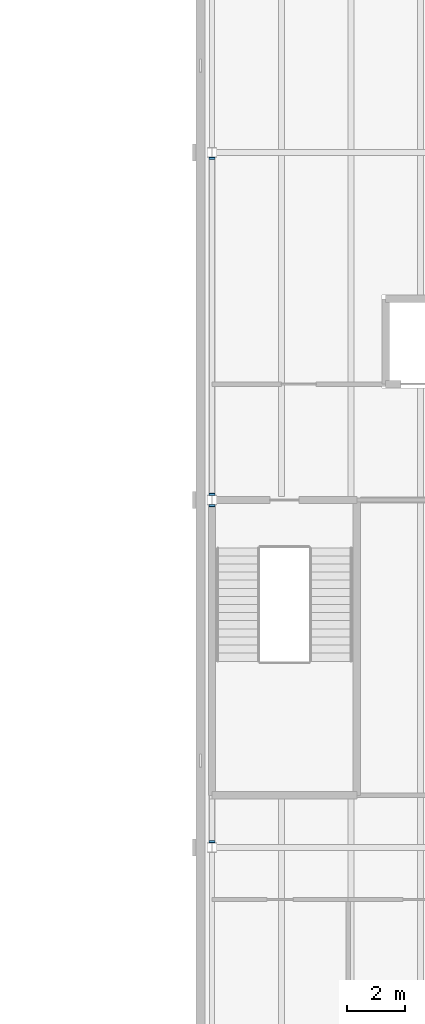
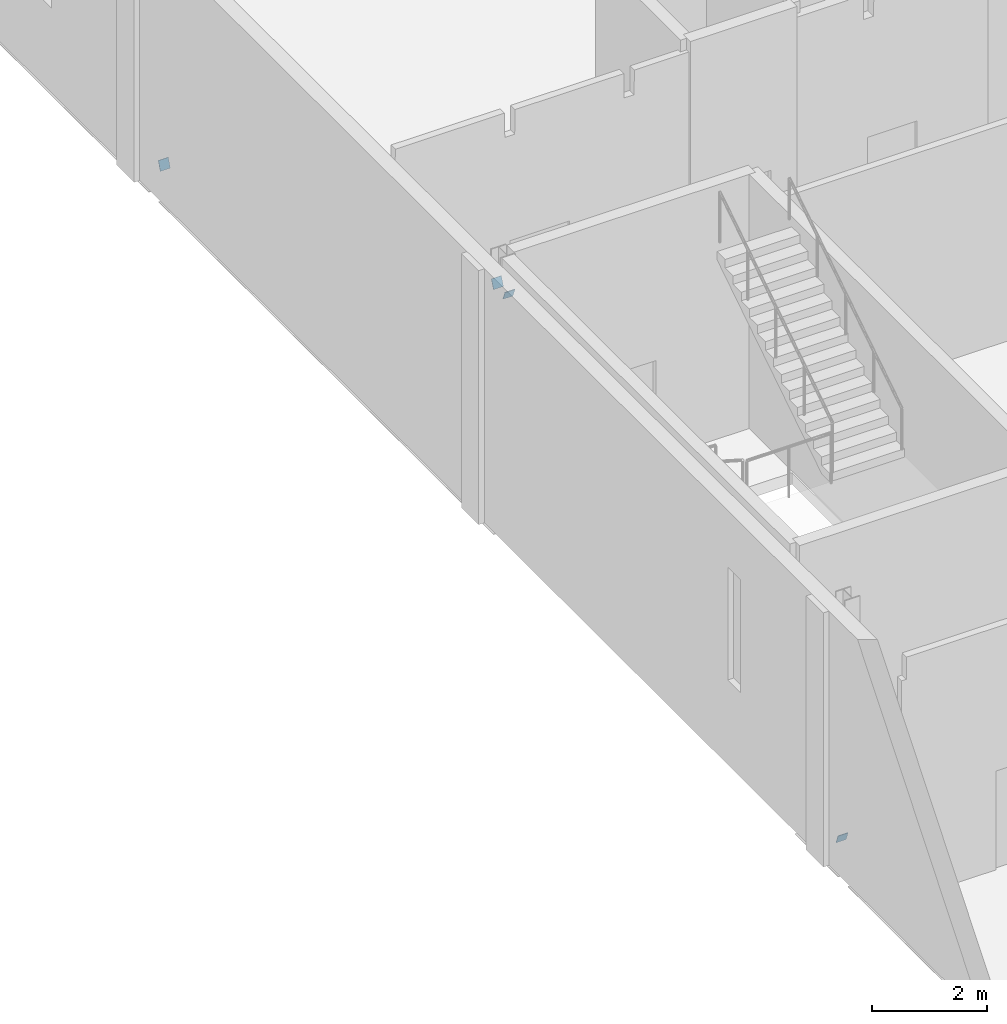
# One storey, part 136 of 170: 4 discrete accessories.
"""IFC4 building model written with IfcOpenShell, lengths in metres."""

import ifcopenshell
import ifcopenshell.guid

model = None  # the IFC model being written
_history = None  # IfcOwnerHistory: only IFC2X3 demands one
_inside = {}  # id of a spatial element -> (the spatial element, [elements in it])
_under = {}  # id of a project, library or spatial element -> (it, [spatial elements below it])
_declared = {}  # id of a project -> (the project, [libraries it declares])
_typed = {}  # id of a type object -> (the type object, [elements of that type])
_made_of = {}  # id of a material, layer set ... -> (it, [elements and type objects made of it])


def new_model(schema):
    """Start an empty IFC model of exactly this schema.

    Asked for "IFC4X3", IfcOpenShell would pick the latest addendum, in which some entities
    have other attributes; the version numbers below select the first issue.
    IFC2X3 requires an IfcOwnerHistory on every rooted entity: one is made here for all.
    """
    global model, _history
    if schema == "IFC4X3":
        model = ifcopenshell.file(schema_version=(4, 3, 0, 0))
    else:
        model = ifcopenshell.file(schema=schema)
    _inside.clear()
    _under.clear()
    _declared.clear()
    _typed.clear()
    _made_of.clear()
    _history = None
    if model.schema == "IFC2X3":
        org = make("IfcOrganization", Name="unknown")
        user = make(
            "IfcPersonAndOrganization",
            ThePerson=make("IfcPerson", FamilyName="unknown"),
            TheOrganization=org,
        )
        app = make(
            "IfcApplication",
            ApplicationDeveloper=org,
            Version="unknown",
            ApplicationFullName="unknown",
            ApplicationIdentifier="unknown",
        )
        _history = make(
            "IfcOwnerHistory",
            OwningUser=user,
            OwningApplication=app,
            ChangeAction="ADDED",
            CreationDate=0,
        )
    return model


def make(cls, **values):
    """One entity of the class cls with the attributes given. An attribute that is None is left unset."""
    return model.create_entity(
        cls, **{name: value for name, value in values.items() if value is not None}
    )


def rooted(cls, **values):
    """An entity with a GlobalId (a new one), such as an element, a storey or a relation."""
    return make(cls, GlobalId=ifcopenshell.guid.new(), OwnerHistory=_history, **values)


def si_unit(unit_type, name, prefix=None):
    """IfcSIUnit, for example si_unit("LENGTHUNIT", "METRE", prefix="MILLI")."""
    return make("IfcSIUnit", UnitType=unit_type, Prefix=prefix, Name=name)


def assignment(units):
    """IfcUnitAssignment: the units of a project."""
    return None if units is None else make("IfcUnitAssignment", Units=units)


def point(xyz):
    """IfcCartesianPoint."""
    return None if xyz is None else make("IfcCartesianPoint", Coordinates=xyz)


def direction(xyz):
    """IfcDirection."""
    return None if xyz is None else make("IfcDirection", DirectionRatios=xyz)


def frame(location, z_axis=None, x_axis=None):
    """IfcAxis2Placement3D, a coordinate frame: its origin and axes. An axis left out is left unset."""
    return make(
        "IfcAxis2Placement3D",
        Location=point(location),
        Axis=direction(z_axis),
        RefDirection=direction(x_axis),
    )


def frame_2d(location, x_axis=None):
    """IfcAxis2Placement2D, a coordinate frame in the plane: its origin and x axis."""
    return make(
        "IfcAxis2Placement2D", Location=point(location), RefDirection=direction(x_axis)
    )


def origin():
    """The frame at (0, 0, 0) with its axes left unset."""
    return frame((0.0, 0.0, 0.0))


def origin_2d():
    """The frame at (0, 0) in the plane with its x axis left unset."""
    return frame_2d((0.0, 0.0))


def place(relative_to, where):
    """IfcLocalPlacement: puts the frame where relative to a parent placement (None: the world)."""
    return make(
        "IfcLocalPlacement", PlacementRelTo=relative_to, RelativePlacement=where
    )


def context(
    kind, dimensions, precision=None, world=None, true_north=None, identifier=None
):
    """IfcGeometricRepresentationContext, for example the 3D "Model" context."""
    return make(
        "IfcGeometricRepresentationContext",
        ContextIdentifier=identifier,
        ContextType=kind,
        CoordinateSpaceDimension=dimensions,
        Precision=precision,
        WorldCoordinateSystem=world,
        TrueNorth=true_north,
    )


def subcontext(parent, identifier, kind, view, scale=None):
    """IfcGeometricRepresentationSubContext, for example "Body" below "Model"."""
    return make(
        "IfcGeometricRepresentationSubContext",
        ContextIdentifier=identifier,
        ContextType=kind,
        ParentContext=parent,
        TargetScale=scale,
        TargetView=view,
    )


def project(units=None, contexts=None):
    """IfcProject with its units and contexts."""
    return rooted(
        "IfcProject",
        Name="project",
        RepresentationContexts=contexts,
        UnitsInContext=assignment(units),
    )


def spatial(cls, under=None, at=None, **own):
    """A site, building, storey or space (cls), placed at a placement, below another one or the project."""
    s = rooted(cls, ObjectPlacement=at, **own)
    if under is not None:
        _under.setdefault(under.id(), (under, []))[1].append(s)
    return s


def profile(cls, at=None, kind="AREA", **sizes):
    """A parametric profile (cls). Its sizes go by their IFC names, for example OverallWidth=200.0."""
    return make(cls, ProfileType=kind, Position=at, **sizes)


def rectangle(**sizes):
    """IfcRectangleProfileDef."""
    return profile("IfcRectangleProfileDef", **sizes)


def extrude(swept, where, along, depth):
    """IfcExtrudedAreaSolid: the profile swept, set in the frame where, extruded along a direction by depth."""
    return make(
        "IfcExtrudedAreaSolid",
        SweptArea=swept,
        Position=where,
        ExtrudedDirection=direction(along),
        Depth=depth,
    )


def shape(context_of_items, identifier, shape_type, items):
    """IfcShapeRepresentation: the items that make up one representation, for example the "Body"."""
    return make(
        "IfcShapeRepresentation",
        ContextOfItems=context_of_items,
        RepresentationIdentifier=identifier,
        RepresentationType=shape_type,
        Items=items,
    )


def material(Name=None, Category=None):
    """IfcMaterial."""
    return make("IfcMaterial", Name=Name, Category=Category)


def material_profile(
    of_material, cross_section, Name=None, Category=None, Priority=None
):
    """IfcMaterialProfile: a cross section and its material."""
    return make(
        "IfcMaterialProfile",
        Name=Name,
        Material=of_material,
        Profile=cross_section,
        Priority=Priority,
        Category=Category,
    )


def profile_set(profiles, Name=None, composite=None):
    """IfcMaterialProfileSet."""
    return make(
        "IfcMaterialProfileSet",
        Name=Name,
        MaterialProfiles=profiles,
        CompositeProfile=composite,
    )


def made_of(thing, what):
    """Note that an element or type object is made of a material, layer set ...; save() writes the relation."""
    if what is not None:
        _made_of.setdefault(what.id(), (what, []))[1].append(thing)
    return thing


def type_object(cls, material=None, **own):
    """A type object (cls), such as IfcWallType, which elements share."""
    return made_of(rooted(cls, **own), material)


def element(
    cls,
    number,
    at=None,
    inside=None,
    cuts=None,
    type_object=None,
    material=None,
    context=None,
    identifier="Body",
    shape_type=None,
    held_by="IfcProductDefinitionShape",
    body=None,
    shapes=None,
    **own,
):
    """One element of the class cls, such as IfcWall. Its Tag is "e" and its number.

    at: its placement. inside: the storey or other place that contains it. cuts: it is an
    opening in that element (IfcRelVoidsElement). A single representation is given by context,
    identifier, shape_type and body (its items); several are given by shapes. held_by: the class
    of the entity that holds the representations. save() writes the other relations.
    """
    e = rooted(cls, Tag="e%d" % number, ObjectPlacement=at, **own)
    if body is not None:
        shapes = [shape(context, identifier, shape_type, body)]
    if shapes is not None:
        e.Representation = make(held_by, Representations=shapes)
    if inside is not None:
        _inside.setdefault(inside.id(), (inside, []))[1].append(e)
    if cuts is not None:
        rooted(
            "IfcRelVoidsElement", RelatingBuildingElement=cuts, RelatedOpeningElement=e
        )
    if type_object is not None:
        _typed.setdefault(type_object.id(), (type_object, []))[1].append(e)
    return made_of(e, material)


def aggregate(whole, parts):
    """IfcRelAggregates: a whole, such as a stair, and the parts it consists of."""
    return rooted("IfcRelAggregates", RelatingObject=whole, RelatedObjects=parts)


def save(model, path):
    """Write the relations noted so far, then the file.

    IfcRelAggregates (storeys below a building ...), IfcRelContainedInSpatialStructure (elements
    in a storey), IfcRelDefinesByType, IfcRelAssociatesMaterial and IfcRelDeclares: one each for
    every whole, place, type object, material and project.
    """
    for whole, parts in _under.values():
        aggregate(whole, parts)
    for where, things in _inside.values():
        rooted(
            "IfcRelContainedInSpatialStructure",
            RelatedElements=things,
            RelatingStructure=where,
        )
    for kind, things in _typed.values():
        rooted("IfcRelDefinesByType", RelatedObjects=things, RelatingType=kind)
    for what, things in _made_of.values():
        rooted("IfcRelAssociatesMaterial", RelatedObjects=things, RelatingMaterial=what)
    for by, libraries in _declared.values():
        rooted("IfcRelDeclares", RelatingContext=by, RelatedDefinitions=libraries)
    model.write(path)


model = new_model("IFC4")

# Units and contexts
model_context = context("Model", 3, precision=1e-05, world=origin(), true_north=direction((0.0, 1.0)))
body_context = subcontext(model_context, "Body", "Model", "MODEL_VIEW")
ifc_project = project(units=[si_unit("LENGTHUNIT", "METRE"), si_unit("AREAUNIT", "SQUARE_METRE"), si_unit("VOLUMEUNIT", "CUBIC_METRE"), si_unit("PLANEANGLEUNIT", "RADIAN"), si_unit("MASSUNIT", "GRAM", prefix="KILO")], contexts=[model_context])

# Site, building, storey
site_placement = place(None, origin())
site = spatial("IfcSite", under=ifc_project, at=site_placement, CompositionType="ELEMENT")
building_placement = place(site_placement, origin())
building = spatial("IfcBuilding", under=site, at=building_placement, Name="Ravi Spectrum Wholesale Market", CompositionType="ELEMENT")
storey_placement = place(building_placement, frame((0.0, 0.0, 5.39990234375)))
storey = spatial("IfcBuildingStorey", under=building, at=storey_placement, Name="L01", CompositionType="ELEMENT", Elevation=5.39990234375)

# Discrete accessories
ifc_material = material(Name="Steel S355", Category="steel")
ifc_material_profile = material_profile(ifc_material, rectangle(XDim=0.199951171875, YDim=0.199951171875, at=origin_2d()))
ifc_profile_set = profile_set([ifc_material_profile], Name="Steel S355")
discrete_accessory_type = type_object("IfcDiscreteAccessoryType", Name="End plate SHS 200x200x8", PredefinedType="BRACKET", material=ifc_profile_set)
for number, where, z_axis, x_axis, name in (
    (1, (198.0, 30.206298828125, 0.09326171875), (0.0, -0.931242779706, -0.364399348581), (1.0, 0.0, 0.0), "End plate"),
    (2, (198.0, 41.793701171875, 4.60693359375), (0.0, 0.931242779706, 0.364399348581), (-1.0, 0.0, 0.0), "End plate"),
    (3, (198.0, 42.206298828125, 4.60693359375), (0.0, -0.931242779706, 0.364399348581), (1.0, 0.0, 0.0), "End plate"),
    (4, (198.0, 53.793701171875, 0.09326171875), (0.0, 0.931242779706, -0.364399348581), (-1.0, 0.0, 0.0), "End plate"),
):
    element("IfcDiscreteAccessory", number, at=place(storey_placement, frame(where, z_axis=z_axis, x_axis=x_axis)), inside=storey, type_object=discrete_accessory_type, Name=name, PredefinedType="BRACKET", context=body_context, shape_type="SweptSolid", body=[
        extrude(rectangle(XDim=0.199951171875, YDim=0.199951171875, at=origin_2d()), origin(), (0.0, 0.0, 1.0), 0.011962890625),
    ])

save(model, "model.ifc")
